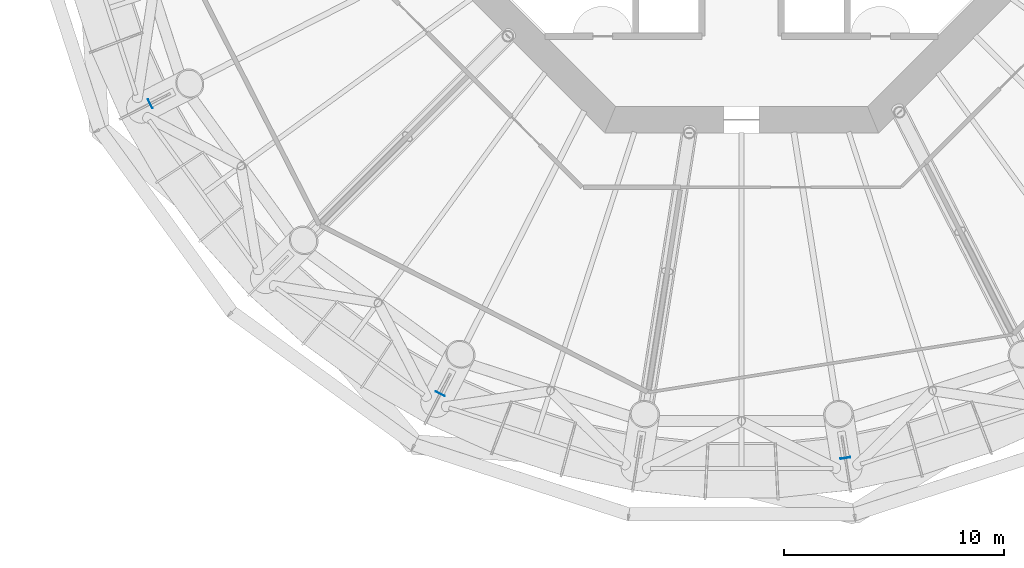
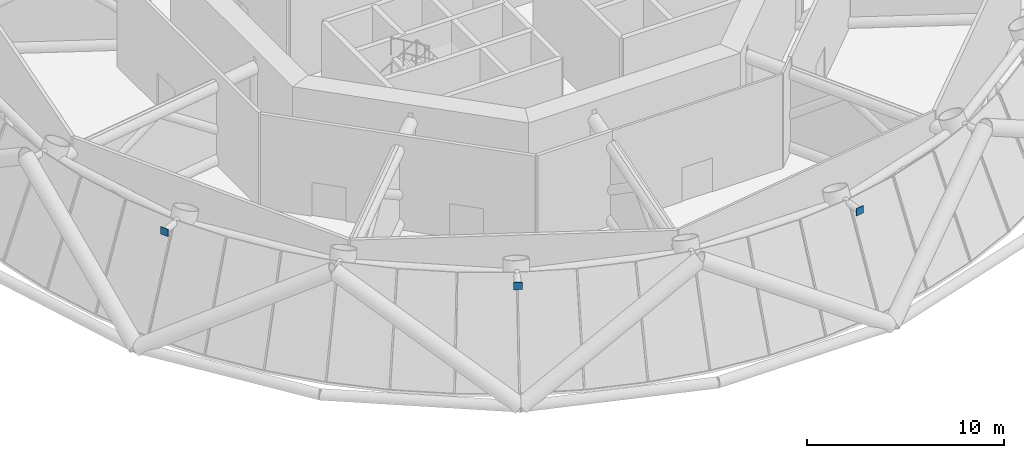
# One storey, part 13 of 18: 3 discrete accessories.
"""IFC4 building model written with IfcOpenShell, lengths in metres."""

from ifc_helpers import new_model, si_unit, direction, frame, origin, origin_2d, place, context, subcontext, project, spatial, rectangle, extrude, material, element, save


model = new_model("IFC4")

# Units and contexts
model_context = context("Model", 3, precision=1e-05, world=origin(), true_north=direction((0.0, 1.0)))
body_context = subcontext(model_context, "Body", "Model", "MODEL_VIEW")
ifc_project = project(units=[si_unit("LENGTHUNIT", "METRE"), si_unit("AREAUNIT", "SQUARE_METRE"), si_unit("VOLUMEUNIT", "CUBIC_METRE"), si_unit("PLANEANGLEUNIT", "RADIAN"), si_unit("MASSUNIT", "GRAM", prefix="KILO")], contexts=[model_context])

# Site, building, storey
site_placement = place(None, origin())
site = spatial("IfcSite", under=ifc_project, at=site_placement, CompositionType="ELEMENT")
building_placement = place(site_placement, origin())
building = spatial("IfcBuilding", under=site, at=building_placement, Name="Entoto Ring Tower", CompositionType="ELEMENT")
storey_placement = place(building_placement, frame((0.0, 0.0, 138.0)))
storey = spatial("IfcBuildingStorey", under=building, at=storey_placement, Name="L31", CompositionType="ELEMENT", Elevation=138.0)

# Discrete accessories
ifc_material = material(Name="Steel S355", Category="steel")
for number, where, z_axis, x_axis, name in (
    (1, (63.167236328125, 66.328125, 5.4443359375), (0.0, 0.0, 1.0), (-0.891006524188, -0.45399049974, 0.0), "Node strut end plate DS1 ring 10 12"),
    (2, (76.328125, 53.167236328125, 5.4443359375), (0.0, 0.0, 1.0), (-0.45399049974, -0.891006524188, 0.0), "Node strut end plate DS1 ring 10 14"),
    (3, (94.7109375, 50.255859375, 5.4443359375), (0.0, 0.0, 1.0), (0.15643446504, -0.987688340595, 0.0), "Node strut end plate DS1 ring 10 16"),
):
    element("IfcDiscreteAccessory", number, at=place(storey_placement, frame(where, z_axis=z_axis, x_axis=x_axis)), inside=storey, material=ifc_material, Name=name, PredefinedType="BRACKET", context=body_context, shape_type="SweptSolid", body=[
        extrude(rectangle(XDim=0.030029296875, YDim=0.45556640625, at=origin_2d()), origin(), (0.0, 0.0, 1.0), 0.45556640625),
    ])

save(model, "model.ifc")
